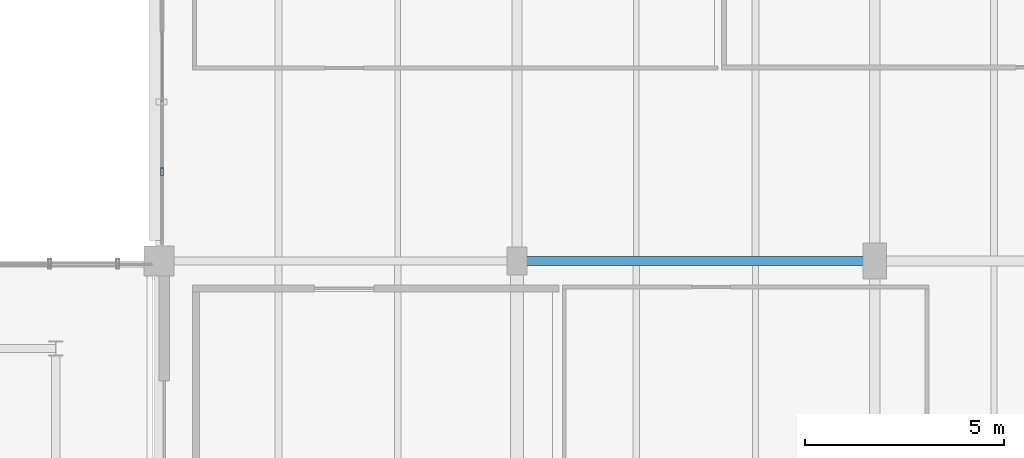
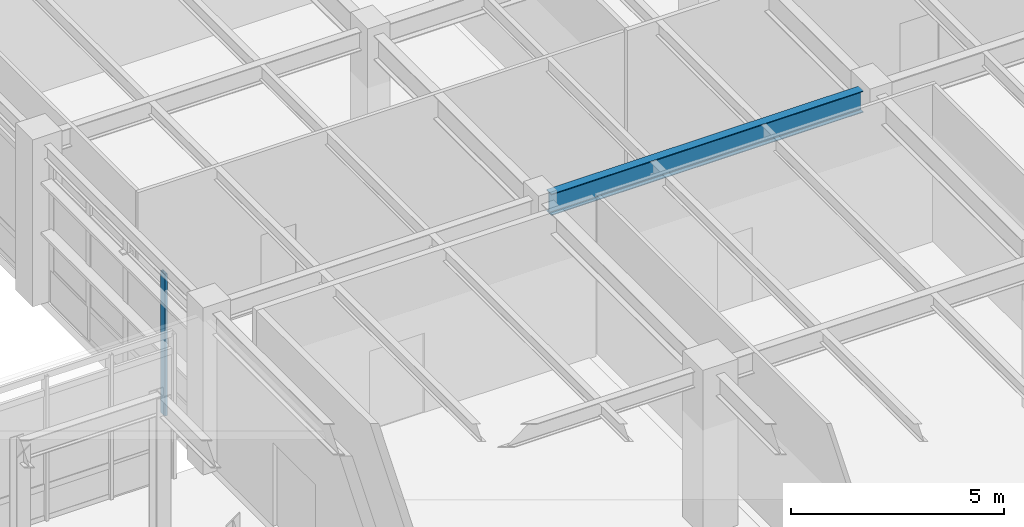
# One storey, part 99 of 200: 1 beam, 1 member, 1 element without a shape of its own.
"""IFC4 building model written with IfcOpenShell, lengths in metres."""

from ifc_helpers import new_model, si_unit, direction, frame, origin, origin_2d, place, context, subcontext, project, spatial, hollow_rectangle, i_section, extrude, material, material_profile, profile_set, type_object, element, aggregate, save


model = new_model("IFC4")

# Units and contexts
model_context = context("Model", 3, precision=1e-05, world=origin(), true_north=direction((0.0, 1.0)))
body_context = subcontext(model_context, "Body", "Model", "MODEL_VIEW")
ifc_project = project(units=[si_unit("LENGTHUNIT", "METRE"), si_unit("AREAUNIT", "SQUARE_METRE"), si_unit("VOLUMEUNIT", "CUBIC_METRE"), si_unit("PLANEANGLEUNIT", "RADIAN"), si_unit("MASSUNIT", "GRAM", prefix="KILO"), si_unit("THERMODYNAMICTEMPERATUREUNIT", "KELVIN"), si_unit("POWERUNIT", "WATT")], contexts=[model_context])

# Site, building, storey
site_placement = place(None, origin())
site = spatial("IfcSite", under=ifc_project, at=site_placement, CompositionType="ELEMENT")
building_placement = place(site_placement, origin())
building = spatial("IfcBuilding", under=site, at=building_placement, Name="Tepalcoro Natatorium and Aquatics Centre", CompositionType="ELEMENT")
storey_placement = place(building_placement, frame((0.0, 0.0, 5.39990234375)))
storey = spatial("IfcBuildingStorey", under=building, at=storey_placement, Name="L01", CompositionType="ELEMENT", Elevation=5.39990234375)

# Beam
ifc_material_1 = material(Name="Steel ASTM A992 Grade 50 (Fy 345 MPa)", Category="steel")
ifc_material_profile_1 = material_profile(ifc_material_1, i_section(OverallWidth=0.22998046875, OverallDepth=0.616943359375, WebThickness=0.012939453125, FlangeThickness=0.02197265625, FilletRadius=0.013916015625, at=origin_2d()), Name="W24X94")
ifc_profile_set_1 = profile_set([ifc_material_profile_1], Name="Steel ASTM A992 Grade 50 (Fy 345 MPa)")
beam_type = type_object("IfcBeamType", Name="BM_W24x94", PredefinedType="BEAM", material=ifc_profile_set_1)
beam_placement = place(storey_placement, frame((107.235107421875, 102.0, 4.236572265625), z_axis=(1.0, 0.0, 0.0), x_axis=(0.0, 1.0, 0.0)))
element("IfcBeam", 1, at=beam_placement, inside=storey, type_object=beam_type, Name="V5 L01 Grid Girder X", PredefinedType="BEAM", context=body_context, shape_type="SweptSolid", body=[
    extrude(i_section(OverallWidth=0.22998046875, OverallDepth=0.616943359375, WebThickness=0.012939453125, FlangeThickness=0.02197265625, FilletRadius=0.013916015625, at=origin_2d()), origin(), (0.0, 0.0, 1.0), 8.47998046875),
])

# Curtain wall, member
ifc_material_2 = material(Name="Bronze-Anodised Extruded Aluminium Alloy EN AW-6063 T6", Category="aluminium")
curtain_wall_type = type_object("IfcCurtainWallType", Name="CW_LEAN_T1_EW", PredefinedType="USERDEFINED", material=ifc_material_2)
curtain_wall_placement = place(storey_placement, origin())
curtain_wall = element("IfcCurtainWall", 2, at=curtain_wall_placement, inside=storey, type_object=curtain_wall_type, Name="V5 L01 W Unitised Curtain Wall Bay 3", ObjectType="FACETED SOLAR GLAZING", PredefinedType="USERDEFINED")
ifc_material_profile_2 = material_profile(ifc_material_2, hollow_rectangle(XDim=0.070068359375, YDim=0.199951171875, WallThickness=0.0048828125, at=origin_2d()), Name="AL70X200X5")
ifc_profile_set_2 = profile_set([ifc_material_profile_2], Name="Bronze-Anodised Extruded Aluminium Alloy EN AW-6063 T6")
member_type = type_object("IfcMemberType", Name="CW_MUL_70x200", PredefinedType="MULLION", material=ifc_profile_set_2)
member_placement = place(storey_placement, frame((98.0712890625, 104.239990234375, 0.02001953125), z_axis=(0.0, 0.0, 1.0), x_axis=(1.0, 0.0, 0.0)))
member = element("IfcMember", 3, at=member_placement, type_object=member_type, Name="CW_LEAN_T1_EW Curtain Wall Mullion", PredefinedType="MULLION", context=body_context, shape_type="SweptSolid", body=[
    extrude(hollow_rectangle(XDim=0.070068359375, YDim=0.199951171875, WallThickness=0.0048828125, at=origin_2d()), origin(), (0.0, 0.0, 1.0), 4.0771484375),
])
aggregate(curtain_wall, [member])

save(model, "model.ifc")
